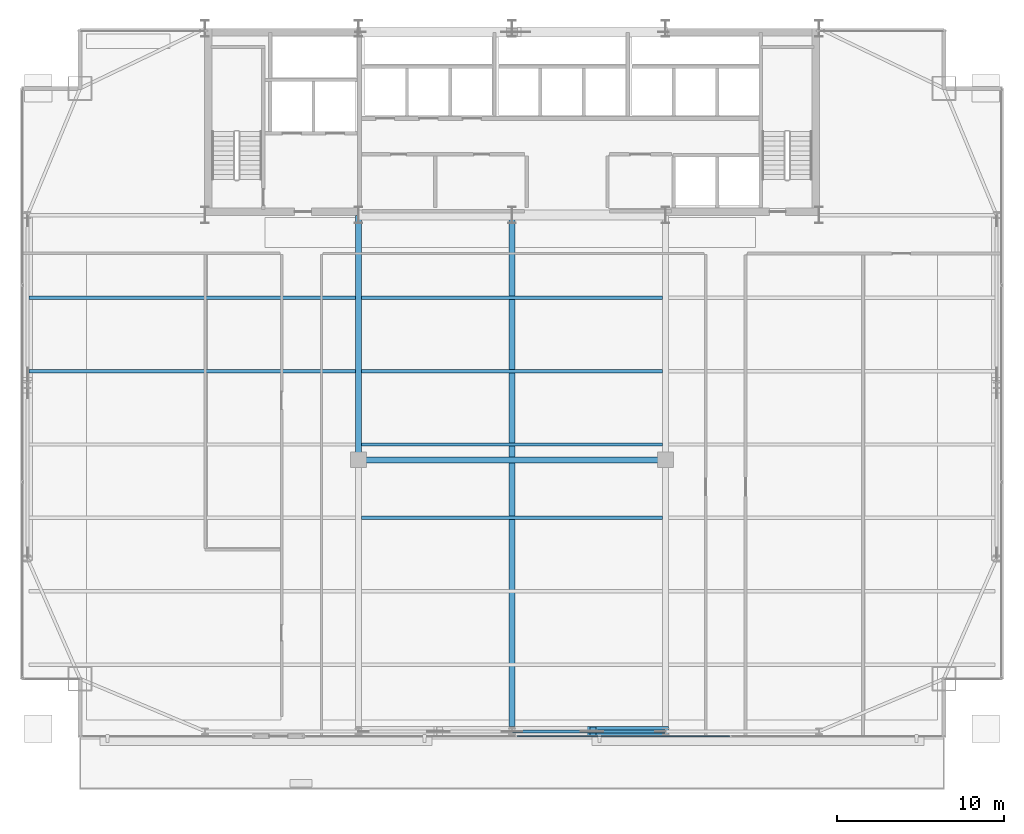
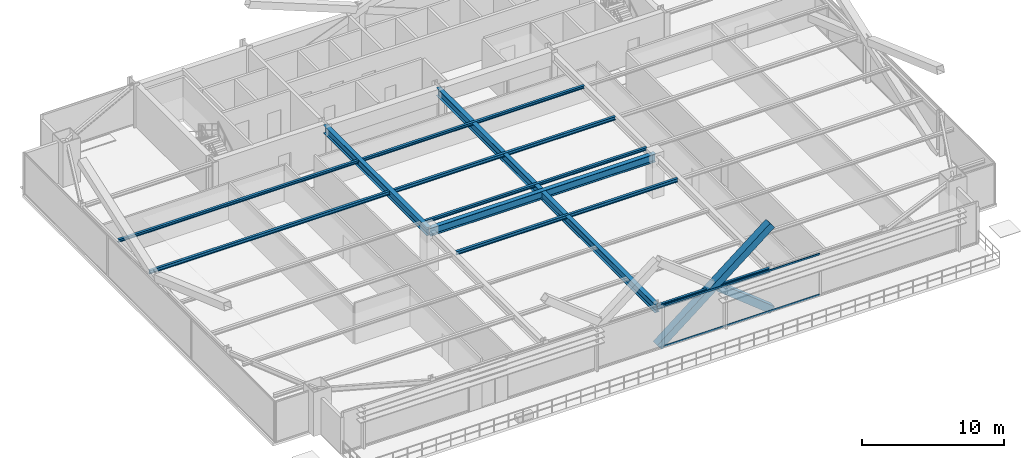
# One storey, part 11 of 35: 10 beams, 4 members, 1 element without a shape of its own.
"""IFC4 building model written with IfcOpenShell, lengths in metres."""

from ifc_helpers import new_model, si_unit, direction, frame, origin, origin_2d, place, context, subcontext, project, spatial, hollow_rectangle, i_section, extrude, source, transform, mapped, material, layer, layer_set, material_profile, profile_set, type_object, type_shapes, element, aggregate, save


model = new_model("IFC4")

# Units and contexts
model_context = context("Model", 3, precision=1e-05, world=origin(), true_north=direction((0.0, 1.0)))
body_context = subcontext(model_context, "Body", "Model", "MODEL_VIEW")
ifc_project = project(units=[si_unit("LENGTHUNIT", "METRE"), si_unit("AREAUNIT", "SQUARE_METRE"), si_unit("VOLUMEUNIT", "CUBIC_METRE"), si_unit("PLANEANGLEUNIT", "RADIAN"), si_unit("MASSUNIT", "GRAM", prefix="KILO")], contexts=[model_context])

# Site, building, storey
site_placement = place(None, origin())
site = spatial("IfcSite", under=ifc_project, at=site_placement, CompositionType="ELEMENT")
building_placement = place(site_placement, origin())
building = spatial("IfcBuilding", under=site, at=building_placement, Name="Varnel Quay Broadcast Tower", CompositionType="ELEMENT")
storey_placement = place(building_placement, frame((0.0, 0.0, 87.0)))
storey = spatial("IfcBuildingStorey", under=building, at=storey_placement, Name="L20", CompositionType="ELEMENT", Elevation=87.0)

# Beams
ifc_material_1 = material(Name="Structural Steel CSA G40.21 350W", Category="steel")
ifc_material_profile_1 = material_profile(ifc_material_1, i_section(OverallWidth=0.180908203125, OverallDepth=0.4169921875, WebThickness=0.010986328125, FlangeThickness=0.018310546875, FilletRadius=0.011962890625, at=origin_2d()), Name="W410X85")
ifc_profile_set_1 = profile_set([ifc_material_profile_1], Name="Structural Steel CSA G40.21 350W")
beam_type_1 = type_object("IfcBeamType", Name="Beam_W410X85", PredefinedType="SPANDREL", material=ifc_profile_set_1)
shared_shape_1 = source(origin(), body_context, "Body", "SweptSolid", [
    extrude(i_section(OverallWidth=0.180908203125, OverallDepth=0.4169921875, WebThickness=0.010986328125, FlangeThickness=0.018310546875, FilletRadius=0.011962890625, at=origin_2d()), origin(), (0.0, 0.0, 1.0), 9.159912109375),
])
type_shapes(beam_type_1, [shared_shape_1])
beam_1_placement = place(storey_placement, frame((34.02001953125, 4.64990234375, 3.341552734375), z_axis=(1.0, 0.0, 0.0), x_axis=(0.0, 1.0, 0.0)))
element("IfcBeam", 1, at=beam_1_placement, inside=storey, type_object=beam_type_1, Name="L20 South Spandrel TC-S3-TC-S4", PredefinedType="SPANDREL", context=body_context, shape_type="MappedRepresentation", body=[
    mapped(shared_shape_1, transform((0.0, 0.0, 0.0), x_axis=(1.0, 0.0, 0.0), y_axis=(0.0, 1.0, 0.0), z_axis=(0.0, 0.0, 1.0), scale=1.0)),
])
ifc_material_profile_2 = material_profile(ifc_material_1, i_section(OverallWidth=0.35498046875, OverallDepth=0.695068359375, WebThickness=0.015380859375, FlangeThickness=0.02490234375, FilletRadius=0.01806640625, at=origin_2d()), Name="W690X217")
ifc_profile_set_2 = profile_set([ifc_material_profile_2], Name="Structural Steel CSA G40.21 350W")
beam_type_2 = type_object("IfcBeamType", Name="Girder_W690X217", PredefinedType="BEAM", material=ifc_profile_set_2)
shared_shape_2 = source(origin(), body_context, "Body", "SweptSolid", [
    extrude(i_section(OverallWidth=0.35498046875, OverallDepth=0.695068359375, WebThickness=0.015380859375, FlangeThickness=0.02490234375, FilletRadius=0.01806640625, at=origin_2d()), origin(), (0.0, 0.0, 1.0), 14.630126953125),
])
beam_2_placement = place(storey_placement, frame((24.800048828125, 20.949951171875, 3.202392578125), z_axis=(0.0, 1.0, 0.0), x_axis=(-1.0, 0.0, 0.0)))
element("IfcBeam", 2, at=beam_2_placement, inside=storey, type_object=beam_type_2, Name="L20 Primary Girder IC-01-CC-S2", PredefinedType="BEAM", context=body_context, shape_type="MappedRepresentation", body=[
    mapped(shared_shape_2, transform((0.0, 0.0, 0.0), x_axis=(1.0, 0.0, 0.0), y_axis=(0.0, 1.0, 0.0), z_axis=(0.0, 0.0, 1.0), scale=1.0)),
])
shared_shape_3 = source(origin(), body_context, "Body", "SweptSolid", [
    extrude(i_section(OverallWidth=0.35498046875, OverallDepth=0.695068359375, WebThickness=0.015380859375, FlangeThickness=0.02490234375, FilletRadius=0.01806640625, at=origin_2d()), origin(), (0.0, 0.0, 1.0), 18.35986328125),
])
beam_3_placement = place(storey_placement, frame((24.820068359375, 20.929931640625, 3.202392578125), z_axis=(1.0, 0.0, 0.0), x_axis=(0.0, 1.0, 0.0)))
element("IfcBeam", 3, at=beam_3_placement, inside=storey, type_object=beam_type_2, Name="L20 Interior Spine Girder", PredefinedType="BEAM", context=body_context, shape_type="MappedRepresentation", body=[
    mapped(shared_shape_3, transform((0.0, 0.0, 0.0), x_axis=(1.0, 0.0, 0.0), y_axis=(0.0, 1.0, 0.0), z_axis=(0.0, 0.0, 1.0), scale=1.0)),
])
shared_shape_4 = source(origin(), body_context, "Body", "SweptSolid", [
    extrude(i_section(OverallWidth=0.35498046875, OverallDepth=0.695068359375, WebThickness=0.015380859375, FlangeThickness=0.02490234375, FilletRadius=0.01806640625, at=origin_2d()), origin(), (0.0, 0.0, 1.0), 30.91015625),
])
type_shapes(beam_type_2, [shared_shape_2, shared_shape_3, shared_shape_4])
beam_4_placement = place(storey_placement, frame((34.0, 4.669921875, 3.202392578125), z_axis=(0.0, 1.0, 0.0), x_axis=(-1.0, 0.0, 0.0)))
element("IfcBeam", 4, at=beam_4_placement, inside=storey, type_object=beam_type_2, Name="L20 Central Bay Girder", PredefinedType="BEAM", context=body_context, shape_type="MappedRepresentation", body=[
    mapped(shared_shape_4, transform((0.0, 0.0, 0.0), x_axis=(1.0, 0.0, 0.0), y_axis=(0.0, 1.0, 0.0), z_axis=(0.0, 0.0, 1.0), scale=1.0)),
])
ifc_material_profile_3 = material_profile(ifc_material_1, i_section(OverallWidth=0.202880859375, OverallDepth=0.302978515625, WebThickness=0.007568359375, FlangeThickness=0.01318359375, FilletRadius=0.011962890625, at=origin_2d()), Name="W310X60")
ifc_profile_set_3 = profile_set([ifc_material_profile_3], Name="Structural Steel CSA G40.21 350W")
beam_type_3 = type_object("IfcBeamType", Name="Beam_W310X60", PredefinedType="JOIST", material=ifc_profile_set_3)
shared_shape_5 = source(origin(), body_context, "Body", "SweptSolid", [
    extrude(i_section(OverallWidth=0.202880859375, OverallDepth=0.302978515625, WebThickness=0.007568359375, FlangeThickness=0.01318359375, FilletRadius=0.011962890625, at=origin_2d()), origin(), (0.0, 0.0, 1.0), 19.592041015625),
])
beam_5_placement = place(storey_placement, frame((5.035400390625, 26.25, 3.3984375), z_axis=(1.0, 0.0, 0.0), x_axis=(0.0, 1.0, 0.0)))
element("IfcBeam", 5, at=beam_5_placement, inside=storey, type_object=beam_type_3, Name="L20 West Floor Joist 5", PredefinedType="JOIST", context=body_context, shape_type="MappedRepresentation", body=[
    mapped(shared_shape_5, transform((0.0, 0.0, 0.0), x_axis=(1.0, 0.0, 0.0), y_axis=(0.0, 1.0, 0.0), z_axis=(0.0, 0.0, 1.0), scale=1.0)),
])
shared_shape_6 = source(origin(), body_context, "Body", "SweptSolid", [
    extrude(i_section(OverallWidth=0.202880859375, OverallDepth=0.302978515625, WebThickness=0.007568359375, FlangeThickness=0.01318359375, FilletRadius=0.011962890625, at=origin_2d()), origin(), (0.0, 0.0, 1.0), 18.05517578125),
])
type_shapes(beam_type_3, [shared_shape_5, shared_shape_6])
for number, where, z_axis, x_axis, name in (
    (6, (24.972412109375, 17.449951171875, 3.3984375), (1.0, 0.0, 0.0), (0.0, 1.0, 0.0), "L20 Central Floor Joist 3"),
    (7, (24.972412109375, 26.25, 3.3984375), (1.0, 0.0, 0.0), (0.0, 1.0, 0.0), "L20 Central Floor Joist 5"),
):
    element("IfcBeam", number, at=place(storey_placement, frame(where, z_axis=z_axis, x_axis=x_axis)), inside=storey, type_object=beam_type_3, Name=name, PredefinedType="JOIST", context=body_context, shape_type="MappedRepresentation", body=[
        mapped(shared_shape_6, transform((0.0, 0.0, 0.0), x_axis=(1.0, 0.0, 0.0), y_axis=(0.0, 1.0, 0.0), z_axis=(0.0, 0.0, 1.0), scale=1.0)),
    ])
ifc_material_profile_4 = material_profile(ifc_material_1, i_section(OverallWidth=0.201904296875, OverallDepth=0.2470703125, WebThickness=0.00732421875, FlangeThickness=0.010986328125, FilletRadius=0.010986328125, at=origin_2d()), Name="W250X49")
ifc_profile_set_4 = profile_set([ifc_material_profile_4], Name="Structural Steel CSA G40.21 350W")
beam_type_4 = type_object("IfcBeamType", Name="Beam_W250X49", PredefinedType="JOIST", material=ifc_profile_set_4)
shared_shape_7 = source(origin(), body_context, "Body", "SweptSolid", [
    extrude(i_section(OverallWidth=0.201904296875, OverallDepth=0.2470703125, WebThickness=0.00732421875, FlangeThickness=0.010986328125, FilletRadius=0.010986328125, at=origin_2d()), origin(), (0.0, 0.0, 1.0), 19.592041015625),
])
beam_6_placement = place(storey_placement, frame((5.035400390625, 30.64990234375, 3.426513671875), z_axis=(1.0, 0.0, 0.0), x_axis=(0.0, 1.0, 0.0)))
element("IfcBeam", 8, at=beam_6_placement, inside=storey, type_object=beam_type_4, Name="L20 West Floor Joist 6", PredefinedType="JOIST", context=body_context, shape_type="MappedRepresentation", body=[
    mapped(shared_shape_7, transform((0.0, 0.0, 0.0), x_axis=(1.0, 0.0, 0.0), y_axis=(0.0, 1.0, 0.0), z_axis=(0.0, 0.0, 1.0), scale=1.0)),
])
shared_shape_8 = source(origin(), body_context, "Body", "SweptSolid", [
    extrude(i_section(OverallWidth=0.201904296875, OverallDepth=0.2470703125, WebThickness=0.00732421875, FlangeThickness=0.010986328125, FilletRadius=0.010986328125, at=origin_2d()), origin(), (0.0, 0.0, 1.0), 18.05517578125),
])
type_shapes(beam_type_4, [shared_shape_7, shared_shape_8])
for number, where, z_axis, x_axis, name in (
    (9, (24.972412109375, 21.85009765625, 3.426513671875), (1.0, 0.0, 0.0), (0.0, 1.0, 0.0), "L20 Central Floor Joist 4"),
    (10, (24.972412109375, 30.64990234375, 3.426513671875), (1.0, 0.0, 0.0), (0.0, 1.0, 0.0), "L20 Central Floor Joist 6"),
):
    element("IfcBeam", number, at=place(storey_placement, frame(where, z_axis=z_axis, x_axis=x_axis)), inside=storey, type_object=beam_type_4, Name=name, PredefinedType="JOIST", context=body_context, shape_type="MappedRepresentation", body=[
        mapped(shared_shape_8, transform((0.0, 0.0, 0.0), x_axis=(1.0, 0.0, 0.0), y_axis=(0.0, 1.0, 0.0), z_axis=(0.0, 0.0, 1.0), scale=1.0)),
    ])

# Members
ifc_material_2 = material(Name="Structural Steel CSA G40.21 350WT", Category="steel")
ifc_material_profile_5 = material_profile(ifc_material_2, hollow_rectangle(XDim=0.60009765625, YDim=0.60009765625, WallThickness=0.028076171875, at=origin_2d()), Name="BOX600X600X28")
ifc_profile_set_5 = profile_set([ifc_material_profile_5], Name="Structural Steel CSA G40.21 350WT")
member_type_1 = type_object("IfcMemberType", Name="Brace_BOX600X600X28", PredefinedType="BRACE", material=ifc_profile_set_5)
shared_shape_9 = source(origin(), body_context, "Body", "SweptSolid", [
    extrude(hollow_rectangle(XDim=0.60009765625, YDim=0.60009765625, WallThickness=0.028076171875, at=origin_2d()), origin(), (0.0, 0.0, 1.0), 11.75048828125),
])
member_1_placement = place(storey_placement, frame((34.0, 4.64990234375, 0.02001953125), z_axis=(0.782936125262, 0.0, 0.622102100751), x_axis=(0.0, 1.0, 0.0)))
element("IfcMember", 11, at=member_1_placement, inside=storey, type_object=member_type_1, Name="Zone 2 Mega-Brace S-C2T1 Continuous Diag A", PredefinedType="BRACE", context=body_context, shape_type="MappedRepresentation", body=[
    mapped(shared_shape_9, transform((0.0, 0.0, 0.0), x_axis=(1.0, 0.0, 0.0), y_axis=(0.0, 1.0, 0.0), z_axis=(0.0, 0.0, 1.0), scale=1.0)),
])
shared_shape_10 = source(origin(), body_context, "Body", "SweptSolid", [
    extrude(hollow_rectangle(XDim=0.60009765625, YDim=0.60009765625, WallThickness=0.028076171875, at=origin_2d()), origin(), (0.0, 0.0, 1.0), 5.542236328125),
])
type_shapes(member_type_1, [shared_shape_9, shared_shape_10])
member_2_placement = place(storey_placement, frame((43.199951171875, 4.64990234375, 0.02001953125), z_axis=(-0.782953081891, 0.0, 0.622080759675), x_axis=(0.0, -1.0, 0.0)))
element("IfcMember", 12, at=member_2_placement, inside=storey, type_object=member_type_1, Name="Zone 2 Mega-Brace S-C2T1 Split Diag B1", PredefinedType="BRACE", context=body_context, shape_type="MappedRepresentation", body=[
    mapped(shared_shape_10, transform((0.0, 0.0, 0.0), x_axis=(1.0, 0.0, 0.0), y_axis=(0.0, 1.0, 0.0), z_axis=(0.0, 0.0, 1.0), scale=1.0)),
])

# Curtain wall, members
ifc_material_3 = material(Name="Anodised Bronze Aluminium 6063-T6", Category="aluminium")
ifc_layer = layer(ifc_material_3, 0.18994140625, Name="Anodised Bronze Aluminium 6063-T6")
ifc_layer_set = layer_set([ifc_layer], Name="Anodised Bronze Aluminium 6063-T6")
curtain_wall_type = type_object("IfcCurtainWallType", Name="CW_LowerTower", PredefinedType="NOTDEFINED", material=ifc_layer_set)
curtain_wall_placement = place(storey_placement, origin())
curtain_wall = element("IfcCurtainWall", 13, at=curtain_wall_placement, inside=storey, type_object=curtain_wall_type, Name="L20 South Unitised Curtain Wall 2", PredefinedType="NOTDEFINED")
ifc_material_profile_6 = material_profile(ifc_material_3, hollow_rectangle(XDim=0.06005859375, YDim=0.14501953125, WallThickness=0.00341796875, at=origin_2d()), Name="ALU60X145X3.5")
ifc_profile_set_6 = profile_set([ifc_material_profile_6], Name="Anodised Bronze Aluminium 6063-T6")
member_type_2 = type_object("IfcMemberType", Name="Tran_CWS-02", PredefinedType="USERDEFINED", material=ifc_profile_set_6)
shared_shape_11 = source(origin(), body_context, "Body", "SweptSolid", [
    extrude(hollow_rectangle(XDim=0.06005859375, YDim=0.14501953125, WallThickness=0.00341796875, at=origin_2d()), origin(), (0.0, 0.0, 1.0), 12.736572265625),
])
type_shapes(member_type_2, [shared_shape_11])
member_3_placement = place(storey_placement, frame((34.32177734375, 4.35009765625, 0.030029296875), z_axis=(1.0, 0.0, 0.0), x_axis=(0.0, 1.0, 0.0)))
member_3 = element("IfcMember", 14, at=member_3_placement, type_object=member_type_2, Name="CWS-02 transom 2.1", ObjectType="TRANSOM", PredefinedType="USERDEFINED", context=body_context, shape_type="MappedRepresentation", body=[
    mapped(shared_shape_11, transform((0.0, 0.0, 0.0), x_axis=(1.0, 0.0, 0.0), y_axis=(0.0, 1.0, 0.0), z_axis=(0.0, 0.0, 1.0), scale=1.0)),
])
member_4_placement = place(storey_placement, frame((34.32177734375, 4.35009765625, 3.52001953125), z_axis=(1.0, 0.0, 0.0), x_axis=(0.0, 1.0, 0.0)))
member_4 = element("IfcMember", 15, at=member_4_placement, type_object=member_type_2, Name="CWS-02 transom 2.2", ObjectType="TRANSOM", PredefinedType="USERDEFINED", context=body_context, shape_type="MappedRepresentation", body=[
    mapped(shared_shape_11, transform((0.0, 0.0, 0.0), x_axis=(1.0, 0.0, 0.0), y_axis=(0.0, 1.0, 0.0), z_axis=(0.0, 0.0, 1.0), scale=1.0)),
])
aggregate(curtain_wall, [member_3, member_4])

save(model, "model.ifc")
